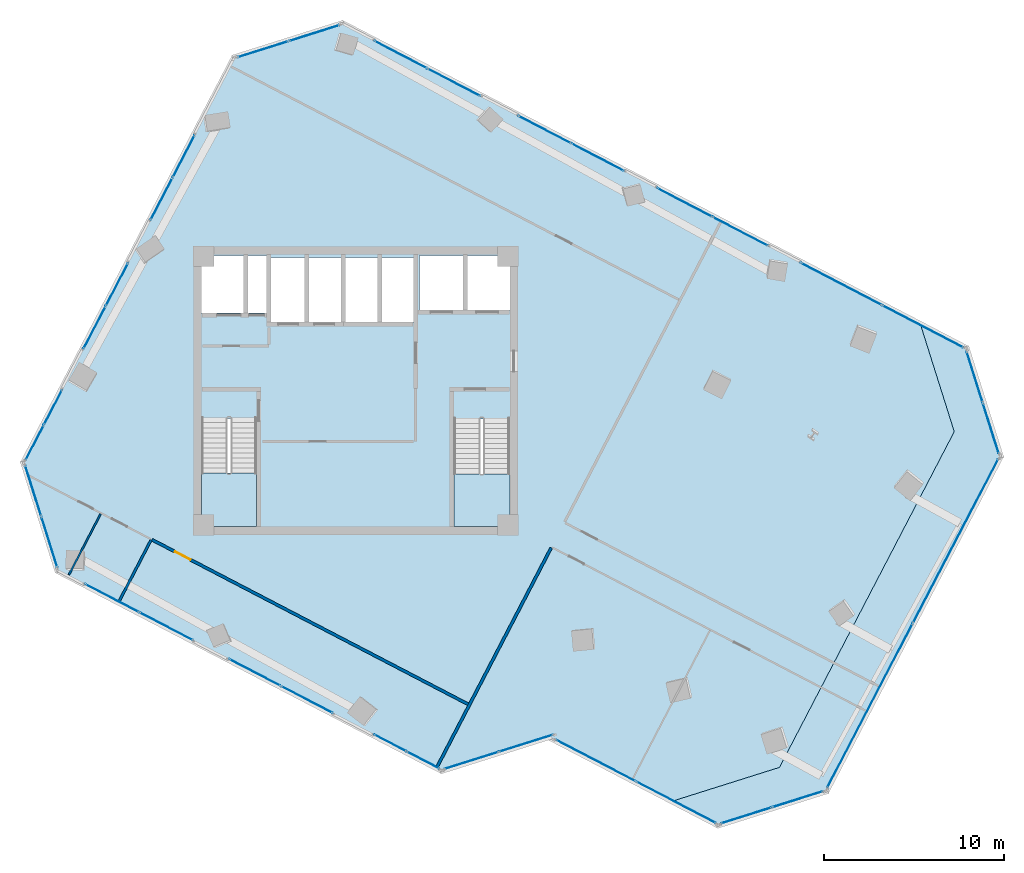
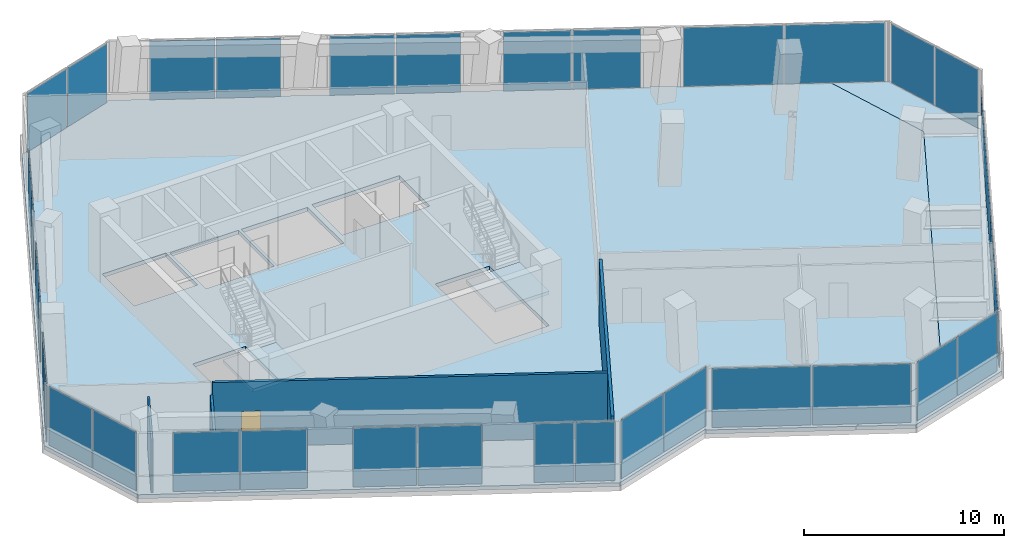
# One storey, part 16 of 22: 34 plates, 4 slabs, 4 walls, 1 door, 1 opening, 19 elements without a shape of their own.
"""IFC4 building model written with IfcOpenShell, lengths in metres."""

import ifcopenshell
import ifcopenshell.guid

model = None  # the IFC model being written
_history = None  # IfcOwnerHistory: only IFC2X3 demands one
_inside = {}  # id of a spatial element -> (the spatial element, [elements in it])
_under = {}  # id of a project, library or spatial element -> (it, [spatial elements below it])
_declared = {}  # id of a project -> (the project, [libraries it declares])
_typed = {}  # id of a type object -> (the type object, [elements of that type])
_made_of = {}  # id of a material, layer set ... -> (it, [elements and type objects made of it])


def new_model(schema):
    """Start an empty IFC model of exactly this schema.

    Asked for "IFC4X3", IfcOpenShell would pick the latest addendum, in which some entities
    have other attributes; the version numbers below select the first issue.
    IFC2X3 requires an IfcOwnerHistory on every rooted entity: one is made here for all.
    """
    global model, _history
    if schema == "IFC4X3":
        model = ifcopenshell.file(schema_version=(4, 3, 0, 0))
    else:
        model = ifcopenshell.file(schema=schema)
    _inside.clear()
    _under.clear()
    _declared.clear()
    _typed.clear()
    _made_of.clear()
    _history = None
    if model.schema == "IFC2X3":
        org = make("IfcOrganization", Name="unknown")
        user = make(
            "IfcPersonAndOrganization",
            ThePerson=make("IfcPerson", FamilyName="unknown"),
            TheOrganization=org,
        )
        app = make(
            "IfcApplication",
            ApplicationDeveloper=org,
            Version="unknown",
            ApplicationFullName="unknown",
            ApplicationIdentifier="unknown",
        )
        _history = make(
            "IfcOwnerHistory",
            OwningUser=user,
            OwningApplication=app,
            ChangeAction="ADDED",
            CreationDate=0,
        )
    return model


def make(cls, **values):
    """One entity of the class cls with the attributes given. An attribute that is None is left unset."""
    return model.create_entity(
        cls, **{name: value for name, value in values.items() if value is not None}
    )


def rooted(cls, **values):
    """An entity with a GlobalId (a new one), such as an element, a storey or a relation."""
    return make(cls, GlobalId=ifcopenshell.guid.new(), OwnerHistory=_history, **values)


def si_unit(unit_type, name, prefix=None):
    """IfcSIUnit, for example si_unit("LENGTHUNIT", "METRE", prefix="MILLI")."""
    return make("IfcSIUnit", UnitType=unit_type, Prefix=prefix, Name=name)


def assignment(units):
    """IfcUnitAssignment: the units of a project."""
    return None if units is None else make("IfcUnitAssignment", Units=units)


def point(xyz):
    """IfcCartesianPoint."""
    return None if xyz is None else make("IfcCartesianPoint", Coordinates=xyz)


def direction(xyz):
    """IfcDirection."""
    return None if xyz is None else make("IfcDirection", DirectionRatios=xyz)


def frame(location, z_axis=None, x_axis=None):
    """IfcAxis2Placement3D, a coordinate frame: its origin and axes. An axis left out is left unset."""
    return make(
        "IfcAxis2Placement3D",
        Location=point(location),
        Axis=direction(z_axis),
        RefDirection=direction(x_axis),
    )


def frame_2d(location, x_axis=None):
    """IfcAxis2Placement2D, a coordinate frame in the plane: its origin and x axis."""
    return make(
        "IfcAxis2Placement2D", Location=point(location), RefDirection=direction(x_axis)
    )


def origin():
    """The frame at (0, 0, 0) with its axes left unset."""
    return frame((0.0, 0.0, 0.0))


def origin_2d():
    """The frame at (0, 0) in the plane with its x axis left unset."""
    return frame_2d((0.0, 0.0))


def place(relative_to, where):
    """IfcLocalPlacement: puts the frame where relative to a parent placement (None: the world)."""
    return make(
        "IfcLocalPlacement", PlacementRelTo=relative_to, RelativePlacement=where
    )


def context(
    kind, dimensions, precision=None, world=None, true_north=None, identifier=None
):
    """IfcGeometricRepresentationContext, for example the 3D "Model" context."""
    return make(
        "IfcGeometricRepresentationContext",
        ContextIdentifier=identifier,
        ContextType=kind,
        CoordinateSpaceDimension=dimensions,
        Precision=precision,
        WorldCoordinateSystem=world,
        TrueNorth=true_north,
    )


def subcontext(parent, identifier, kind, view, scale=None):
    """IfcGeometricRepresentationSubContext, for example "Body" below "Model"."""
    return make(
        "IfcGeometricRepresentationSubContext",
        ContextIdentifier=identifier,
        ContextType=kind,
        ParentContext=parent,
        TargetScale=scale,
        TargetView=view,
    )


def project(units=None, contexts=None):
    """IfcProject with its units and contexts."""
    return rooted(
        "IfcProject",
        Name="project",
        RepresentationContexts=contexts,
        UnitsInContext=assignment(units),
    )


def spatial(cls, under=None, at=None, **own):
    """A site, building, storey or space (cls), placed at a placement, below another one or the project."""
    s = rooted(cls, ObjectPlacement=at, **own)
    if under is not None:
        _under.setdefault(under.id(), (under, []))[1].append(s)
    return s


def polyline(points):
    """IfcPolyline through the points."""
    return make("IfcPolyline", Points=[point(p) for p in points])


def profile(cls, at=None, kind="AREA", **sizes):
    """A parametric profile (cls). Its sizes go by their IFC names, for example OverallWidth=200.0."""
    return make(cls, ProfileType=kind, Position=at, **sizes)


def rectangle(**sizes):
    """IfcRectangleProfileDef."""
    return profile("IfcRectangleProfileDef", **sizes)


def outline(outer, holes=None, kind="AREA"):
    """IfcArbitraryClosedProfileDef: a profile drawn as a closed curve; with holes, ...WithVoids."""
    if holes is None:
        return make("IfcArbitraryClosedProfileDef", ProfileType=kind, OuterCurve=outer)
    return make(
        "IfcArbitraryProfileDefWithVoids",
        ProfileType=kind,
        OuterCurve=outer,
        InnerCurves=holes,
    )


def extrude(swept, where, along, depth):
    """IfcExtrudedAreaSolid: the profile swept, set in the frame where, extruded along a direction by depth."""
    return make(
        "IfcExtrudedAreaSolid",
        SweptArea=swept,
        Position=where,
        ExtrudedDirection=direction(along),
        Depth=depth,
    )


def shape(context_of_items, identifier, shape_type, items):
    """IfcShapeRepresentation: the items that make up one representation, for example the "Body"."""
    return make(
        "IfcShapeRepresentation",
        ContextOfItems=context_of_items,
        RepresentationIdentifier=identifier,
        RepresentationType=shape_type,
        Items=items,
    )


def source(mapping_origin, context_of_items, identifier, shape_type, items):
    """IfcRepresentationMap: a shape defined once, which mapped items show again and again."""
    return make(
        "IfcRepresentationMap",
        MappingOrigin=mapping_origin,
        MappedRepresentation=shape(context_of_items, identifier, shape_type, items),
    )


def transform(
    local_origin,
    x_axis=None,
    y_axis=None,
    z_axis=None,
    scale=None,
    scale2=None,
    scale3=None,
    uniform=True,
):
    """IfcCartesianTransformationOperator3D, or its non-uniform kind. x_axis, y_axis, z_axis: its Axis1, 2, 3."""
    if uniform:
        return make(
            "IfcCartesianTransformationOperator3D",
            Axis1=direction(x_axis),
            Axis2=direction(y_axis),
            LocalOrigin=point(local_origin),
            Scale=scale,
            Axis3=direction(z_axis),
        )
    return make(
        "IfcCartesianTransformationOperator3DnonUniform",
        Axis1=direction(x_axis),
        Axis2=direction(y_axis),
        LocalOrigin=point(local_origin),
        Scale=scale,
        Axis3=direction(z_axis),
        Scale2=scale2,
        Scale3=scale3,
    )


def mapped(mapping_source, mapping_target):
    """IfcMappedItem: shows the shape of a source again, moved by a transform."""
    return make(
        "IfcMappedItem", MappingSource=mapping_source, MappingTarget=mapping_target
    )


def material(Name=None, Category=None):
    """IfcMaterial."""
    return make("IfcMaterial", Name=Name, Category=Category)


def layer(
    of_material, thickness, ventilated=None, Name=None, Category=None, Priority=None
):
    """IfcMaterialLayer: one layer of a wall or slab, of a material (None: an air gap)."""
    return make(
        "IfcMaterialLayer",
        Material=of_material,
        LayerThickness=thickness,
        IsVentilated=ventilated,
        Name=Name,
        Category=Category,
        Priority=Priority,
    )


def layer_set(layers, Name=None):
    """IfcMaterialLayerSet."""
    return make("IfcMaterialLayerSet", MaterialLayers=layers, LayerSetName=Name)


def made_of(thing, what):
    """Note that an element or type object is made of a material, layer set ...; save() writes the relation."""
    if what is not None:
        _made_of.setdefault(what.id(), (what, []))[1].append(thing)
    return thing


def type_object(cls, material=None, **own):
    """A type object (cls), such as IfcWallType, which elements share."""
    return made_of(rooted(cls, **own), material)


def element(
    cls,
    number,
    at=None,
    inside=None,
    cuts=None,
    type_object=None,
    material=None,
    context=None,
    identifier="Body",
    shape_type=None,
    held_by="IfcProductDefinitionShape",
    body=None,
    shapes=None,
    **own,
):
    """One element of the class cls, such as IfcWall. Its Tag is "e" and its number.

    at: its placement. inside: the storey or other place that contains it. cuts: it is an
    opening in that element (IfcRelVoidsElement). A single representation is given by context,
    identifier, shape_type and body (its items); several are given by shapes. held_by: the class
    of the entity that holds the representations. save() writes the other relations.
    """
    e = rooted(cls, Tag="e%d" % number, ObjectPlacement=at, **own)
    if body is not None:
        shapes = [shape(context, identifier, shape_type, body)]
    if shapes is not None:
        e.Representation = make(held_by, Representations=shapes)
    if inside is not None:
        _inside.setdefault(inside.id(), (inside, []))[1].append(e)
    if cuts is not None:
        rooted(
            "IfcRelVoidsElement", RelatingBuildingElement=cuts, RelatedOpeningElement=e
        )
    if type_object is not None:
        _typed.setdefault(type_object.id(), (type_object, []))[1].append(e)
    return made_of(e, material)


def fill(opening, filler):
    """IfcRelFillsElement: the door or window that sits in an opening."""
    return rooted(
        "IfcRelFillsElement",
        RelatingOpeningElement=opening,
        RelatedBuildingElement=filler,
    )


def aggregate(whole, parts):
    """IfcRelAggregates: a whole, such as a stair, and the parts it consists of."""
    return rooted("IfcRelAggregates", RelatingObject=whole, RelatedObjects=parts)


def save(model, path):
    """Write the relations noted so far, then the file.

    IfcRelAggregates (storeys below a building ...), IfcRelContainedInSpatialStructure (elements
    in a storey), IfcRelDefinesByType, IfcRelAssociatesMaterial and IfcRelDeclares: one each for
    every whole, place, type object, material and project.
    """
    for whole, parts in _under.values():
        aggregate(whole, parts)
    for where, things in _inside.values():
        rooted(
            "IfcRelContainedInSpatialStructure",
            RelatedElements=things,
            RelatingStructure=where,
        )
    for kind, things in _typed.values():
        rooted("IfcRelDefinesByType", RelatedObjects=things, RelatingType=kind)
    for what, things in _made_of.values():
        rooted("IfcRelAssociatesMaterial", RelatedObjects=things, RelatingMaterial=what)
    for by, libraries in _declared.values():
        rooted("IfcRelDeclares", RelatingContext=by, RelatedDefinitions=libraries)
    model.write(path)


model = new_model("IFC4")

# Units and contexts
model_context = context("Model", 3, precision=1e-05, world=origin(), true_north=direction((0.0, 1.0)))
body_context = subcontext(model_context, "Body", "Model", "MODEL_VIEW")
ifc_project = project(units=[si_unit("LENGTHUNIT", "METRE"), si_unit("AREAUNIT", "SQUARE_METRE"), si_unit("VOLUMEUNIT", "CUBIC_METRE"), si_unit("PLANEANGLEUNIT", "RADIAN"), si_unit("MASSUNIT", "GRAM", prefix="KILO")], contexts=[model_context])

# Site, building, storey
site_placement = place(None, origin())
site = spatial("IfcSite", under=ifc_project, at=site_placement, CompositionType="ELEMENT")
building_placement = place(site_placement, origin())
building = spatial("IfcBuilding", under=site, at=building_placement, Name="Torre Montelarca", CompositionType="ELEMENT")
storey_placement = place(building_placement, frame((0.0, 0.0, 170.800048828125)))
storey = spatial("IfcBuildingStorey", under=building, at=storey_placement, Name="L38", CompositionType="ELEMENT", Elevation=170.800048828125)

# Slabs
ifc_material_1 = material(Name="Concrete C40/50", Category="concrete")
ifc_layer_1 = layer(ifc_material_1, 0.239990234375, Name="Concrete C40/50", Category="concrete")
ifc_layer_set_1 = layer_set([ifc_layer_1], Name="Concrete C40/50")
slab_type_1 = type_object("IfcSlabType", Name="SL-FLR-240", PredefinedType="FLOOR", material=ifc_layer_set_1)
slab_1_placement = place(storey_placement, frame((0.0, 0.0, -0.239990234375)))
element("IfcSlab", 1, at=slab_1_placement, inside=storey, type_object=slab_type_1, Name="L38 Structural Floor Slab", PredefinedType="FLOOR", context=body_context, shape_type="SweptSolid", body=[
    extrude(outline(polyline([(22.7646484375, 10.8232421875), (28.833984375, 12.737060546875), (28.787841796875, 12.648193359375), (35.4404296875, 9.185302734375), (41.509765625, 11.098876953125), (51.20654296875, 29.72607421875), (49.29296875, 35.79541015625), (17.271728515625, 52.464599609375), (11.202392578125, 50.551025390625), (-0.52587890625, 28.02099609375), (1.3876953125, 21.951416015625), (22.7646484375, 10.8232421875)]), holes=[polyline([(26.550048828125, 24.449951171875), (23.43994140625, 24.449951171875), (23.43994140625, 30.429931640625), (26.550048828125, 30.429931640625), (26.550048828125, 24.449951171875)]), polyline([(9.449951171875, 24.449951171875), (9.449951171875, 30.4599609375), (12.5, 30.4599609375), (12.5, 24.449951171875), (9.449951171875, 24.449951171875)]), polyline([(17.25, 35.800048828125), (13.300048828125, 35.800048828125), (13.300048828125, 39.39990234375), (17.25, 39.39990234375), (17.25, 35.800048828125)]), polyline([(21.25, 39.39990234375), (21.25, 35.800048828125), (17.39990234375, 35.800048828125), (17.39990234375, 39.39990234375), (21.25, 39.39990234375)]), polyline([(13.1201171875, 36.300048828125), (9.449951171875, 36.300048828125), (9.449951171875, 39.5), (13.1201171875, 39.5), (13.1201171875, 36.300048828125)]), polyline([(26.60009765625, 36.449951171875), (21.550048828125, 36.449951171875), (21.550048828125, 39.5), (26.60009765625, 39.5), (26.60009765625, 36.449951171875)])]), origin(), (0.0, 0.0, 1.0), 0.239990234375),
])
slab_2_placement = place(storey_placement, frame((0.0, 0.0, -0.239990234375)))
element("IfcSlab", 2, at=slab_2_placement, inside=storey, type_object=slab_type_1, Name="L38 Sliding Tray Winter Garden Floor Slab E1", PredefinedType="FLOOR", context=body_context, shape_type="SweptSolid", body=[
    extrude(outline(polyline([(49.29296875, 35.79541015625), (51.20654296875, 29.72607421875), (41.509765625, 11.098876953125), (35.4404296875, 9.185302734375), (38.101318359375, 7.800048828125), (44.1708984375, 9.713623046875), (53.86767578125, 28.3408203125), (51.953857421875, 34.410400390625), (49.29296875, 35.79541015625)])), origin(), (0.0, 0.0, 1.0), 0.239990234375),
])

# Stair, slab
stair_type_1 = type_object("IfcStairType", Name="ST-CORE-ST1", PredefinedType="HALF_TURN_STAIR", material=ifc_material_1)
stair_1_placement = place(storey_placement, origin())
stair_1 = element("IfcStair", 3, at=stair_1_placement, inside=storey, type_object=stair_type_1, Name="L38 Protected Exit Stair ST1", PredefinedType="HALF_TURN_STAIR")
ifc_layer_2 = layer(ifc_material_1, 0.199951171875, Name="Concrete C40/50", Category="concrete")
ifc_layer_set_2 = layer_set([ifc_layer_2], Name="Concrete C40/50")
slab_type_2 = type_object("IfcSlabType", Name="SL-ST-LAND-ST1", PredefinedType="LANDING", material=ifc_layer_set_2)
slab_3_placement = place(storey_placement, frame((0.0, 0.0, 1.89990234375)))
slab_3 = element("IfcSlab", 4, at=slab_3_placement, type_object=slab_type_2, Name="ST1 landing 1", PredefinedType="LANDING", context=body_context, shape_type="SweptSolid", body=[
    extrude(outline(polyline([(9.449951171875, 27.419921875), (9.449951171875, 24.449951171875), (12.5, 24.449951171875), (12.5, 27.419921875), (9.449951171875, 27.419921875)])), origin(), (0.0, 0.0, 1.0), 0.199951171875),
])
aggregate(stair_1, [slab_3])

stair_type_2 = type_object("IfcStairType", Name="ST-CORE-ST2", PredefinedType="HALF_TURN_STAIR", material=ifc_material_1)
stair_2_placement = place(storey_placement, origin())
stair_2 = element("IfcStair", 5, at=stair_2_placement, inside=storey, type_object=stair_type_2, Name="L38 Protected Exit Stair ST2", PredefinedType="HALF_TURN_STAIR")
ifc_layer_3 = layer(ifc_material_1, 0.199951171875, Name="Concrete C40/50", Category="concrete")
ifc_layer_set_3 = layer_set([ifc_layer_3], Name="Concrete C40/50")
slab_type_3 = type_object("IfcSlabType", Name="SL-ST-LAND-ST2", PredefinedType="LANDING", material=ifc_layer_set_3)
slab_4_placement = place(storey_placement, frame((0.0, 0.0, 1.89990234375)))
slab_4 = element("IfcSlab", 6, at=slab_4_placement, type_object=slab_type_3, Name="ST2 landing 1", PredefinedType="LANDING", context=body_context, shape_type="SweptSolid", body=[
    extrude(outline(polyline([(23.43994140625, 27.389892578125), (23.43994140625, 24.449951171875), (26.550048828125, 24.449951171875), (26.550048828125, 27.389892578125), (23.43994140625, 27.389892578125)])), origin(), (0.0, 0.0, 1.0), 0.199951171875),
])
aggregate(stair_2, [slab_4])

# Curtain wall, plates
ifc_material_2 = material(Name="Insulated low-E laminated glass", Category="glass")
curtain_wall_type = type_object("IfcCurtainWallType", Name="CW-SYS-Z2", PredefinedType="USERDEFINED", material=ifc_material_2)
curtain_wall_1_placement = place(storey_placement, origin())
curtain_wall_1 = element("IfcCurtainWall", 7, at=curtain_wall_1_placement, inside=storey, type_object=curtain_wall_type, Name="L38 Curtain Wall Run CW-T3-L38-E05-B1", ObjectType="UNITISED GLAZING", PredefinedType="USERDEFINED")
ifc_layer_4 = layer(ifc_material_2, 0.031982421875, Name="Insulated low-E laminated glass", Category="glass")
ifc_layer_set_4 = layer_set([ifc_layer_4], Name="Insulated low-E laminated glass")
plate_type = type_object("IfcPlateType", Name="CWP-GLZ-32", PredefinedType="CURTAIN_PANEL", material=ifc_layer_set_4)
shared_shape_1 = source(origin(), body_context, "Body", "SweptSolid", [
    extrude(rectangle(XDim=2.918701171875, YDim=0.031982421875, at=origin_2d()), origin(), (0.0, 0.0, 1.0), 3.590087890625),
])
plate_1_placement = place(storey_placement, frame((39.67431640625, 8.43212890625, 0.06494140625), z_axis=(0.0, 0.0, 1.0), x_axis=(0.953725364895, 0.300679111938, 0.0)))
plate_1 = element("IfcPlate", 8, at=plate_1_placement, type_object=plate_type, Name="CW panel 1.1", PredefinedType="CURTAIN_PANEL", context=body_context, shape_type="MappedRepresentation", body=[
    mapped(shared_shape_1, transform((0.0, 0.0, 0.0), scale=1.0)),
])
plate_2_placement = place(storey_placement, frame((42.52001953125, 9.329345703125, 0.06494140625), z_axis=(0.0, 0.0, 1.0), x_axis=(0.953725364895, 0.300679111938, 0.0)))
plate_2 = element("IfcPlate", 9, at=plate_2_placement, type_object=plate_type, Name="CW panel 2.1", PredefinedType="CURTAIN_PANEL", context=body_context, shape_type="MappedRepresentation", body=[
    mapped(shared_shape_1, transform((0.0, 0.0, 0.0), scale=1.0)),
])
aggregate(curtain_wall_1, [plate_1, plate_2])

curtain_wall_2_placement = place(storey_placement, origin())
curtain_wall_2 = element("IfcCurtainWall", 10, at=curtain_wall_2_placement, inside=storey, type_object=curtain_wall_type, Name="L38 Curtain Wall Run CW-T3-L38-E07-B1", ObjectType="UNITISED GLAZING", PredefinedType="USERDEFINED")
plate_3_placement = place(storey_placement, frame((53.2353515625, 29.913818359375, 0.06494140625), z_axis=(0.0, 0.0, 1.0), x_axis=(-0.30069894448, 0.953719112102, 0.0)))
plate_3 = element("IfcPlate", 11, at=plate_3_placement, type_object=plate_type, Name="CW panel 1.1", PredefinedType="CURTAIN_PANEL", context=body_context, shape_type="MappedRepresentation", body=[
    mapped(shared_shape_1, transform((0.0, 0.0, 0.0), scale=1.0)),
])
plate_4_placement = place(storey_placement, frame((52.338134765625, 32.75927734375, 0.06494140625), z_axis=(0.0, 0.0, 1.0), x_axis=(-0.30069894448, 0.953719112102, 0.0)))
plate_4 = element("IfcPlate", 12, at=plate_4_placement, type_object=plate_type, Name="CW panel 2.1", PredefinedType="CURTAIN_PANEL", context=body_context, shape_type="MappedRepresentation", body=[
    mapped(shared_shape_1, transform((0.0, 0.0, 0.0), scale=1.0)),
])
aggregate(curtain_wall_2, [plate_3, plate_4])

curtain_wall_3_placement = place(storey_placement, origin())
curtain_wall_3 = element("IfcCurtainWall", 13, at=curtain_wall_3_placement, inside=storey, type_object=curtain_wall_type, Name="L38 Curtain Wall Run CW-T3-L38-E09-B1", ObjectType="UNITISED GLAZING", PredefinedType="USERDEFINED")
plate_5_placement = place(storey_placement, frame((15.698974609375, 51.83251953125, 0.06494140625), z_axis=(0.0, 0.0, 1.0), x_axis=(-0.953719112102, -0.30069894448, 0.0)))
plate_5 = element("IfcPlate", 14, at=plate_5_placement, type_object=plate_type, Name="CW panel 1.1", PredefinedType="CURTAIN_PANEL", context=body_context, shape_type="MappedRepresentation", body=[
    mapped(shared_shape_1, transform((0.0, 0.0, 0.0), scale=1.0)),
])
plate_6_placement = place(storey_placement, frame((12.853271484375, 50.935302734375, 0.06494140625), z_axis=(0.0, 0.0, 1.0), x_axis=(-0.953719112102, -0.30069894448, 0.0)))
plate_6 = element("IfcPlate", 15, at=plate_6_placement, type_object=plate_type, Name="CW panel 2.1", PredefinedType="CURTAIN_PANEL", context=body_context, shape_type="MappedRepresentation", body=[
    mapped(shared_shape_1, transform((0.0, 0.0, 0.0), scale=1.0)),
])
aggregate(curtain_wall_3, [plate_5, plate_6])

curtain_wall_4_placement = place(storey_placement, origin())
curtain_wall_4 = element("IfcCurtainWall", 16, at=curtain_wall_4_placement, inside=storey, type_object=curtain_wall_type, Name="L38 Curtain Wall Run CW-T3-L38-E11-B1", ObjectType="UNITISED GLAZING", PredefinedType="USERDEFINED")
plate_7_placement = place(storey_placement, frame((0.106201171875, 26.447998046875, 0.06494140625), z_axis=(0.0, 0.0, 1.0), x_axis=(0.300683865815, -0.953723866137, 0.0)))
plate_7 = element("IfcPlate", 17, at=plate_7_placement, type_object=plate_type, Name="CW panel 1.1", PredefinedType="CURTAIN_PANEL", context=body_context, shape_type="MappedRepresentation", body=[
    mapped(shared_shape_1, transform((0.0, 0.0, 0.0), scale=1.0)),
])
plate_8_placement = place(storey_placement, frame((1.00341796875, 23.6025390625, 0.06494140625), z_axis=(0.0, 0.0, 1.0), x_axis=(0.300683865815, -0.953723866137, 0.0)))
plate_8 = element("IfcPlate", 18, at=plate_8_placement, type_object=plate_type, Name="CW panel 2.1", PredefinedType="CURTAIN_PANEL", context=body_context, shape_type="MappedRepresentation", body=[
    mapped(shared_shape_1, transform((0.0, 0.0, 0.0), scale=1.0)),
])
aggregate(curtain_wall_4, [plate_7, plate_8])

curtain_wall_5_placement = place(storey_placement, origin())
curtain_wall_5 = element("IfcCurtainWall", 19, at=curtain_wall_5_placement, inside=storey, type_object=curtain_wall_type, Name="L38 Curtain Wall Run CW-T3-L38-E02-B1", ObjectType="UNITISED GLAZING", PredefinedType="USERDEFINED")
shared_shape_2 = source(origin(), body_context, "Body", "SweptSolid", [
    extrude(rectangle(XDim=3.1025390625, YDim=0.031982421875, at=origin_2d()), origin(), (0.0, 0.0, 1.0), 3.590087890625),
])
plate_9_placement = place(storey_placement, frame((24.425048828125, 11.483154296875, 0.06494140625), z_axis=(0.0, 0.0, 1.0), x_axis=(0.953717880455, 0.300702850836, 0.0)))
plate_9 = element("IfcPlate", 20, at=plate_9_placement, type_object=plate_type, Name="CW panel 1.1", PredefinedType="CURTAIN_PANEL", context=body_context, shape_type="MappedRepresentation", body=[
    mapped(shared_shape_2, transform((0.0, 0.0, 0.0), scale=1.0)),
])
plate_10_placement = place(storey_placement, frame((27.446044921875, 12.435791015625, 0.06494140625), z_axis=(0.0, 0.0, 1.0), x_axis=(0.953717880455, 0.300702850836, 0.0)))
plate_10 = element("IfcPlate", 21, at=plate_10_placement, type_object=plate_type, Name="CW panel 2.1", PredefinedType="CURTAIN_PANEL", context=body_context, shape_type="MappedRepresentation", body=[
    mapped(shared_shape_2, transform((0.0, 0.0, 0.0), scale=1.0)),
])
aggregate(curtain_wall_5, [plate_9, plate_10])

curtain_wall_6_placement = place(storey_placement, origin())
curtain_wall_6 = element("IfcCurtainWall", 22, at=curtain_wall_6_placement, inside=storey, type_object=curtain_wall_type, Name="L38 Curtain Wall Run CW-T3-L38-E04-B1", ObjectType="UNITISED GLAZING", PredefinedType="USERDEFINED")
shared_shape_3 = source(origin(), body_context, "Body", "SweptSolid", [
    extrude(rectangle(XDim=4.948486328125, YDim=0.031982421875, at=origin_2d()), origin(), (0.0, 0.0, 1.0), 3.590087890625),
])
plate_11_placement = place(storey_placement, frame((31.31494140625, 11.4794921875, 0.06494140625), z_axis=(0.0, 0.0, 1.0), x_axis=(0.887013437803, -0.461743609762, 0.0)))
plate_11 = element("IfcPlate", 23, at=plate_11_placement, type_object=plate_type, Name="CW panel 1.1", PredefinedType="CURTAIN_PANEL", context=body_context, shape_type="MappedRepresentation", body=[
    mapped(shared_shape_3, transform((0.0, 0.0, 0.0), scale=1.0)),
])
plate_12_placement = place(storey_placement, frame((35.761962890625, 9.164306640625, 0.06494140625), z_axis=(0.0, 0.0, 1.0), x_axis=(0.887013437803, -0.461743609762, 0.0)))
plate_12 = element("IfcPlate", 24, at=plate_12_placement, type_object=plate_type, Name="CW panel 2.1", PredefinedType="CURTAIN_PANEL", context=body_context, shape_type="MappedRepresentation", body=[
    mapped(shared_shape_3, transform((0.0, 0.0, 0.0), scale=1.0)),
])
aggregate(curtain_wall_6, [plate_11, plate_12])

curtain_wall_7_placement = place(storey_placement, origin())
curtain_wall_7 = element("IfcCurtainWall", 25, at=curtain_wall_7_placement, inside=storey, type_object=curtain_wall_type, Name="L38 Curtain Wall Run CW-T3-L38-E10-B1", ObjectType="UNITISED GLAZING", PredefinedType="USERDEFINED")
shared_shape_4 = source(origin(), body_context, "Body", "SweptSolid", [
    extrude(rectangle(XDim=2.588623046875, YDim=0.031982421875, at=origin_2d()), origin(), (0.0, 0.0, 1.0), 3.590087890625),
])
plate_13_placement = place(storey_placement, frame((8.459716796875, 45.0009765625, 0.06494140625), z_axis=(0.0, 0.0, 1.0), x_axis=(-0.461747116119, -0.887011612526, 0.0)))
plate_13 = element("IfcPlate", 26, at=plate_13_placement, type_object=plate_type, Name="CW panel 1.1", PredefinedType="CURTAIN_PANEL", context=body_context, shape_type="MappedRepresentation", body=[
    mapped(shared_shape_4, transform((0.0, 0.0, 0.0), scale=1.0)),
])
plate_14_placement = place(storey_placement, frame((7.234375, 42.64697265625, 0.06494140625), z_axis=(0.0, 0.0, 1.0), x_axis=(-0.461747116119, -0.887011612526, 0.0)))
plate_14 = element("IfcPlate", 27, at=plate_14_placement, type_object=plate_type, Name="CW panel 2.1", PredefinedType="CURTAIN_PANEL", context=body_context, shape_type="MappedRepresentation", body=[
    mapped(shared_shape_4, transform((0.0, 0.0, 0.0), scale=1.0)),
])
aggregate(curtain_wall_7, [plate_13, plate_14])

curtain_wall_8_placement = place(storey_placement, origin())
curtain_wall_8 = element("IfcCurtainWall", 28, at=curtain_wall_8_placement, inside=storey, type_object=curtain_wall_type, Name="L38 Curtain Wall Run CW-T3-L38-E01-B3", ObjectType="UNITISED GLAZING", PredefinedType="USERDEFINED")
shared_shape_5 = source(origin(), body_context, "Body", "SweptSolid", [
    extrude(rectangle(XDim=1.9921875, YDim=0.031982421875, at=origin_2d()), origin(), (0.0, 0.0, 1.0), 3.590087890625),
])
plate_15_placement = place(storey_placement, frame((19.911865234375, 12.455078125, 0.06494140625), z_axis=(0.0, 0.0, 1.0), x_axis=(0.887014954831, -0.461740695528, 0.0)))
plate_15 = element("IfcPlate", 29, at=plate_15_placement, type_object=plate_type, Name="CW panel 1.1", PredefinedType="CURTAIN_PANEL", context=body_context, shape_type="MappedRepresentation", body=[
    mapped(shared_shape_5, transform((0.0, 0.0, 0.0), scale=1.0)),
])
plate_16_placement = place(storey_placement, frame((21.736328125, 11.505126953125, 0.06494140625), z_axis=(0.0, 0.0, 1.0), x_axis=(0.887014954831, -0.461740695528, 0.0)))
plate_16 = element("IfcPlate", 30, at=plate_16_placement, type_object=plate_type, Name="CW panel 2.1", PredefinedType="CURTAIN_PANEL", context=body_context, shape_type="MappedRepresentation", body=[
    mapped(shared_shape_5, transform((0.0, 0.0, 0.0), scale=1.0)),
])
aggregate(curtain_wall_8, [plate_15, plate_16])

curtain_wall_9_placement = place(storey_placement, origin())
curtain_wall_9 = element("IfcCurtainWall", 31, at=curtain_wall_9_placement, inside=storey, type_object=curtain_wall_type, Name="L38 Curtain Wall Run CW-T3-L38-E08-B1", ObjectType="UNITISED GLAZING", PredefinedType="USERDEFINED")
shared_shape_6 = source(origin(), body_context, "Body", "SweptSolid", [
    extrude(rectangle(XDim=5.029541015625, YDim=0.031982421875, at=origin_2d()), origin(), (0.0, 0.0, 1.0), 3.590087890625),
])
plate_17_placement = place(storey_placement, frame((49.45849609375, 35.562744140625, 0.06494140625), z_axis=(0.0, 0.0, 1.0), x_axis=(-0.887013615745, 0.461743267935, 0.0)))
plate_17 = element("IfcPlate", 32, at=plate_17_placement, type_object=plate_type, Name="CW panel 1.1", PredefinedType="CURTAIN_PANEL", context=body_context, shape_type="MappedRepresentation", body=[
    mapped(shared_shape_6, transform((0.0, 0.0, 0.0), scale=1.0)),
])
plate_18_placement = place(storey_placement, frame((44.939453125, 37.915283203125, 0.06494140625), z_axis=(0.0, 0.0, 1.0), x_axis=(-0.887013615745, 0.461743267935, 0.0)))
plate_18 = element("IfcPlate", 33, at=plate_18_placement, type_object=plate_type, Name="CW panel 2.1", PredefinedType="CURTAIN_PANEL", context=body_context, shape_type="MappedRepresentation", body=[
    mapped(shared_shape_6, transform((0.0, 0.0, 0.0), scale=1.0)),
])
aggregate(curtain_wall_9, [plate_17, plate_18])

curtain_wall_10_placement = place(storey_placement, origin())
curtain_wall_10 = element("IfcCurtainWall", 34, at=curtain_wall_10_placement, inside=storey, type_object=curtain_wall_type, Name="L38 Curtain Wall Run CW-T3-L38-E08-B2", ObjectType="UNITISED GLAZING", PredefinedType="USERDEFINED")
shared_shape_7 = source(origin(), body_context, "Body", "SweptSolid", [
    extrude(rectangle(XDim=3.42236328125, YDim=0.031982421875, at=origin_2d()), origin(), (0.0, 0.0, 1.0), 3.590087890625),
])
plate_19_placement = place(storey_placement, frame((39.337158203125, 40.83154296875, 0.06494140625), z_axis=(0.0, 0.0, 1.0), x_axis=(-0.887012514021, 0.461745384352, 0.0)))
plate_19 = element("IfcPlate", 35, at=plate_19_placement, type_object=plate_type, Name="CW panel 1.1", PredefinedType="CURTAIN_PANEL", context=body_context, shape_type="MappedRepresentation", body=[
    mapped(shared_shape_7, transform((0.0, 0.0, 0.0), scale=1.0)),
])
plate_20_placement = place(storey_placement, frame((36.24365234375, 42.44189453125, 0.06494140625), z_axis=(0.0, 0.0, 1.0), x_axis=(-0.887012514021, 0.461745384352, 0.0)))
plate_20 = element("IfcPlate", 36, at=plate_20_placement, type_object=plate_type, Name="CW panel 2.1", PredefinedType="CURTAIN_PANEL", context=body_context, shape_type="MappedRepresentation", body=[
    mapped(shared_shape_7, transform((0.0, 0.0, 0.0), scale=1.0)),
])
aggregate(curtain_wall_10, [plate_19, plate_20])

curtain_wall_11_placement = place(storey_placement, origin())
curtain_wall_11 = element("IfcCurtainWall", 37, at=curtain_wall_11_placement, inside=storey, type_object=curtain_wall_type, Name="L38 Curtain Wall Run CW-T3-L38-E10-B3", ObjectType="UNITISED GLAZING", PredefinedType="USERDEFINED")
shared_shape_8 = source(origin(), body_context, "Body", "SweptSolid", [
    extrude(rectangle(XDim=2.14208984375, YDim=0.031982421875, at=origin_2d()), origin(), (0.0, 0.0, 1.0), 3.590087890625),
])
plate_21_placement = place(storey_placement, frame((1.20947265625, 31.0732421875, 0.06494140625), z_axis=(0.0, 0.0, 1.0), x_axis=(-0.46173720467, -0.887016772008, 0.0)))
plate_21 = element("IfcPlate", 38, at=plate_21_placement, type_object=plate_type, Name="CW panel 1.1", PredefinedType="CURTAIN_PANEL", context=body_context, shape_type="MappedRepresentation", body=[
    mapped(shared_shape_8, transform((0.0, 0.0, 0.0), scale=1.0)),
])
plate_22_placement = place(storey_placement, frame((0.1904296875, 29.115478515625, 0.06494140625), z_axis=(0.0, 0.0, 1.0), x_axis=(-0.46173720467, -0.887016772008, 0.0)))
plate_22 = element("IfcPlate", 39, at=plate_22_placement, type_object=plate_type, Name="CW panel 2.1", PredefinedType="CURTAIN_PANEL", context=body_context, shape_type="MappedRepresentation", body=[
    mapped(shared_shape_8, transform((0.0, 0.0, 0.0), scale=1.0)),
])
aggregate(curtain_wall_11, [plate_21, plate_22])

curtain_wall_12_placement = place(storey_placement, origin())
curtain_wall_12 = element("IfcCurtainWall", 40, at=curtain_wall_12_placement, inside=storey, type_object=curtain_wall_type, Name="L38 Curtain Wall Run CW-T3-L38-E01-B1", ObjectType="UNITISED GLAZING", PredefinedType="USERDEFINED")
shared_shape_9 = source(origin(), body_context, "Body", "SweptSolid", [
    extrude(rectangle(XDim=3.328857421875, YDim=0.031982421875, at=origin_2d()), origin(), (0.0, 0.0, 1.0), 3.590087890625),
])
plate_23_placement = place(storey_placement, frame((4.471923828125, 20.492431640625, 0.06494140625), z_axis=(0.0, 0.0, 1.0), x_axis=(0.887014826654, -0.461740941758, 0.0)))
plate_23 = element("IfcPlate", 41, at=plate_23_placement, type_object=plate_type, Name="CW panel 1.1", PredefinedType="CURTAIN_PANEL", context=body_context, shape_type="MappedRepresentation", body=[
    mapped(shared_shape_9, transform((0.0, 0.0, 0.0), scale=1.0)),
])
plate_24_placement = place(storey_placement, frame((7.482177734375, 18.92529296875, 0.06494140625), z_axis=(0.0, 0.0, 1.0), x_axis=(0.887014826654, -0.461740941758, 0.0)))
plate_24 = element("IfcPlate", 42, at=plate_24_placement, type_object=plate_type, Name="CW panel 2.1", PredefinedType="CURTAIN_PANEL", context=body_context, shape_type="MappedRepresentation", body=[
    mapped(shared_shape_9, transform((0.0, 0.0, 0.0), scale=1.0)),
])
aggregate(curtain_wall_12, [plate_23, plate_24])

curtain_wall_13_placement = place(storey_placement, origin())
curtain_wall_13 = element("IfcCurtainWall", 43, at=curtain_wall_13_placement, inside=storey, type_object=curtain_wall_type, Name="L38 Curtain Wall Run CW-T3-L38-E01-B2", ObjectType="UNITISED GLAZING", PredefinedType="USERDEFINED")
shared_shape_10 = source(origin(), body_context, "Body", "SweptSolid", [
    extrude(rectangle(XDim=3.19677734375, YDim=0.031982421875, at=origin_2d()), origin(), (0.0, 0.0, 1.0), 3.590087890625),
])
plate_25_placement = place(storey_placement, frame((12.396484375, 16.3671875, 0.06494140625), z_axis=(0.0, 0.0, 1.0), x_axis=(0.887010450446, -0.461749348455, 0.0)))
plate_25 = element("IfcPlate", 44, at=plate_25_placement, type_object=plate_type, Name="CW panel 1.1", PredefinedType="CURTAIN_PANEL", context=body_context, shape_type="MappedRepresentation", body=[
    mapped(shared_shape_10, transform((0.0, 0.0, 0.0), scale=1.0)),
])
plate_26_placement = place(storey_placement, frame((15.28955078125, 14.861083984375, 0.06494140625), z_axis=(0.0, 0.0, 1.0), x_axis=(0.887010450446, -0.461749348455, 0.0)))
plate_26 = element("IfcPlate", 45, at=plate_26_placement, type_object=plate_type, Name="CW panel 2.1", PredefinedType="CURTAIN_PANEL", context=body_context, shape_type="MappedRepresentation", body=[
    mapped(shared_shape_10, transform((0.0, 0.0, 0.0), scale=1.0)),
])
aggregate(curtain_wall_13, [plate_25, plate_26])

curtain_wall_14_placement = place(storey_placement, origin())
curtain_wall_14 = element("IfcCurtainWall", 46, at=curtain_wall_14_placement, inside=storey, type_object=curtain_wall_type, Name="L38 Curtain Wall Run CW-T3-L38-E06-B1", ObjectType="UNITISED GLAZING", PredefinedType="USERDEFINED")
shared_shape_11 = source(origin(), body_context, "Body", "SweptSolid", [
    extrude(rectangle(XDim=10.23681640625, YDim=0.031982421875, at=origin_2d()), origin(), (0.0, 0.0, 1.0), 2.64501953125),
])
plate_27_placement = place(storey_placement, frame((46.525634765625, 14.518310546875, 0.06494140625), z_axis=(0.0, 0.0, 1.0), x_axis=(0.461742528145, 0.887014000849, 0.0)))
plate_27 = element("IfcPlate", 47, at=plate_27_placement, type_object=plate_type, Name="CW panel 1.1", PredefinedType="CURTAIN_PANEL", context=body_context, shape_type="MappedRepresentation", body=[
    mapped(shared_shape_11, transform((0.0, 0.0, 0.0), scale=1.0)),
])
plate_28_placement = place(storey_placement, frame((51.2822265625, 23.65625, 0.06494140625), z_axis=(0.0, 0.0, 1.0), x_axis=(0.461742528145, 0.887014000849, 0.0)))
plate_28 = element("IfcPlate", 48, at=plate_28_placement, type_object=plate_type, Name="CW panel 2.1", PredefinedType="CURTAIN_PANEL", context=body_context, shape_type="MappedRepresentation", body=[
    mapped(shared_shape_11, transform((0.0, 0.0, 0.0), scale=1.0)),
])
aggregate(curtain_wall_14, [plate_27, plate_28])

curtain_wall_15_placement = place(storey_placement, origin())
curtain_wall_15 = element("IfcCurtainWall", 49, at=curtain_wall_15_placement, inside=storey, type_object=curtain_wall_type, Name="L38 Curtain Wall Run CW-T3-L38-E08-B3", ObjectType="UNITISED GLAZING", PredefinedType="USERDEFINED")
shared_shape_12 = source(origin(), body_context, "Body", "SweptSolid", [
    extrude(rectangle(XDim=3.2568359375, YDim=0.031982421875, at=origin_2d()), origin(), (0.0, 0.0, 1.0), 3.590087890625),
])
plate_29_placement = place(storey_placement, frame((31.427490234375, 44.94921875, 0.06494140625), z_axis=(0.0, 0.0, 1.0), x_axis=(-0.887013174356, 0.461744115846, 0.0)))
plate_29 = element("IfcPlate", 50, at=plate_29_placement, type_object=plate_type, Name="CW panel 1.1", PredefinedType="CURTAIN_PANEL", context=body_context, shape_type="MappedRepresentation", body=[
    mapped(shared_shape_12, transform((0.0, 0.0, 0.0), scale=1.0)),
])
plate_30_placement = place(storey_placement, frame((28.48095703125, 46.48291015625, 0.06494140625), z_axis=(0.0, 0.0, 1.0), x_axis=(-0.887013174356, 0.461744115846, 0.0)))
plate_30 = element("IfcPlate", 51, at=plate_30_placement, type_object=plate_type, Name="CW panel 2.1", PredefinedType="CURTAIN_PANEL", context=body_context, shape_type="MappedRepresentation", body=[
    mapped(shared_shape_12, transform((0.0, 0.0, 0.0), scale=1.0)),
])
aggregate(curtain_wall_15, [plate_29, plate_30])

curtain_wall_16_placement = place(storey_placement, origin())
curtain_wall_16 = element("IfcCurtainWall", 52, at=curtain_wall_16_placement, inside=storey, type_object=curtain_wall_type, Name="L38 Curtain Wall Run CW-T3-L38-E08-B4", ObjectType="UNITISED GLAZING", PredefinedType="USERDEFINED")
shared_shape_13 = source(origin(), body_context, "Body", "SweptSolid", [
    extrude(rectangle(XDim=3.255859375, YDim=0.031982421875, at=origin_2d()), origin(), (0.0, 0.0, 1.0), 3.590087890625),
])
plate_31_placement = place(storey_placement, frame((23.445068359375, 49.1044921875, 0.06494140625), z_axis=(0.0, 0.0, 1.0), x_axis=(-0.88701091422, 0.461748457555, 0.0)))
plate_31 = element("IfcPlate", 53, at=plate_31_placement, type_object=plate_type, Name="CW panel 1.1", PredefinedType="CURTAIN_PANEL", context=body_context, shape_type="MappedRepresentation", body=[
    mapped(shared_shape_13, transform((0.0, 0.0, 0.0), scale=1.0)),
])
plate_32_placement = place(storey_placement, frame((20.499267578125, 50.637939453125, 0.06494140625), z_axis=(0.0, 0.0, 1.0), x_axis=(-0.88701091422, 0.461748457555, 0.0)))
plate_32 = element("IfcPlate", 54, at=plate_32_placement, type_object=plate_type, Name="CW panel 2.1", PredefinedType="CURTAIN_PANEL", context=body_context, shape_type="MappedRepresentation", body=[
    mapped(shared_shape_13, transform((0.0, 0.0, 0.0), scale=1.0)),
])
aggregate(curtain_wall_16, [plate_31, plate_32])

curtain_wall_17_placement = place(storey_placement, origin())
curtain_wall_17 = element("IfcCurtainWall", 55, at=curtain_wall_17_placement, inside=storey, type_object=curtain_wall_type, Name="L38 Curtain Wall Run CW-T3-L38-E10-B2", ObjectType="UNITISED GLAZING", PredefinedType="USERDEFINED")
shared_shape_14 = source(origin(), body_context, "Body", "SweptSolid", [
    extrude(rectangle(XDim=2.625244140625, YDim=0.031982421875, at=origin_2d()), origin(), (0.0, 0.0, 1.0), 3.590087890625),
])
plate_33_placement = place(storey_placement, frame((4.75732421875, 37.888671875, 0.06494140625), z_axis=(0.0, 0.0, 1.0), x_axis=(-0.461749332138, -0.887010458941, 0.0)))
plate_33 = element("IfcPlate", 56, at=plate_33_placement, type_object=plate_type, Name="CW panel 1.1", PredefinedType="CURTAIN_PANEL", context=body_context, shape_type="MappedRepresentation", body=[
    mapped(shared_shape_14, transform((0.0, 0.0, 0.0), scale=1.0)),
])
plate_34_placement = place(storey_placement, frame((3.51513671875, 35.502197265625, 0.06494140625), z_axis=(0.0, 0.0, 1.0), x_axis=(-0.461749332138, -0.887010458941, 0.0)))
plate_34 = element("IfcPlate", 57, at=plate_34_placement, type_object=plate_type, Name="CW panel 2.1", PredefinedType="CURTAIN_PANEL", context=body_context, shape_type="MappedRepresentation", body=[
    mapped(shared_shape_14, transform((0.0, 0.0, 0.0), scale=1.0)),
])
aggregate(curtain_wall_17, [plate_33, plate_34])

# Wall, opening, door
ifc_material_3 = material(Name="Gypsum plasterboard on steel stud", Category="steel")
ifc_layer_5 = layer(ifc_material_3, 0.159912109375, Name="Gypsum plasterboard on steel stud", Category="steel")
ifc_layer_set_5 = layer_set([ifc_layer_5], Name="Gypsum plasterboard on steel stud")
wall_type_1 = type_object("IfcWallType", Name="PW-FIRE-160", PredefinedType="PARTITIONING", material=ifc_layer_set_5)
wall_1_placement = place(storey_placement, frame((6.698974609375, 23.72998046875, 0.0), z_axis=(0.0, 0.0, 1.0), x_axis=(0.887009683963, -0.46175082085, 0.0)))
wall_1 = element("IfcWall", 58, at=wall_1_placement, inside=storey, type_object=wall_type_1, Name="L38 Interior Partition W-L38-SOCCN", PredefinedType="PARTITIONING", context=body_context, shape_type="SweptSolid", body=[
    extrude(rectangle(XDim=19.809814453125, YDim=0.159912109375, at=frame_2d((9.90478515625, 0.0))), origin(), (0.0, 0.0, 1.0), 3.9599609375),
])
opening_placement = place(wall_1_placement, frame((1.449951171875, 0.0, 0.0)))
opening = element("IfcOpeningElement", 59, at=opening_placement, cuts=wall_1, Name="Opening FD-095", PredefinedType="OPENING", context=body_context, shape_type="SweptSolid", body=[
    extrude(rectangle(XDim=0.949951171875, YDim=2.14990234375, at=frame_2d((0.47509765625, 1.074951171875))), frame((0.0, 0.08984375, 0.0), z_axis=(0.0, -1.0, 0.0), x_axis=(1.0, 0.0, 0.0)), (0.0, 0.0, 1.0), 0.179931640625),
])
ifc_material_4 = material(Name="Timber fire-rated room door", Category="wood")
door_type = type_object("IfcDoorType", Name="DR-FIRE-095", OperationType="NOTDEFINED", PredefinedType="DOOR", material=ifc_material_4)
shared_shape_15 = source(origin(), body_context, "Body", "SweptSolid", [
    extrude(rectangle(XDim=0.949951171875, YDim=2.14990234375, at=frame_2d((0.47509765625, 1.074951171875))), frame((0.0, 0.02490234375, 0.0), z_axis=(0.0, -1.0, 0.0), x_axis=(1.0, 0.0, 0.0)), (0.0, 0.0, 1.0), 0.050048828125),
])
door_placement = place(opening_placement, origin())
door = element("IfcDoor", 60, at=door_placement, inside=storey, type_object=door_type, Name="L38 Interior Door 05", OperationType="SINGLE_SWING_RIGHT", OverallHeight=2.14990234375, OverallWidth=0.949951171875, PredefinedType="DOOR", context=body_context, shape_type="MappedRepresentation", body=[
    mapped(shared_shape_15, transform((0.0, 0.0, 0.0), scale=1.0)),
])
fill(opening, door)

# Walls
wall_2_placement = place(storey_placement, frame((22.5283203125, 11.1494140625, 0.0), z_axis=(0.0, 0.0, 1.0), x_axis=(0.461766825398, 0.887001352289, 0.0)))
element("IfcWall", 61, at=wall_2_placement, inside=storey, type_object=wall_type_1, Name="L38 Interior Partition W-L38-ECS", PredefinedType="PARTITIONING", context=body_context, shape_type="SweptSolid", body=[
    extrude(rectangle(XDim=13.679931640625, YDim=0.159912109375, at=frame_2d((6.83984375, 0.0))), origin(), (0.0, 0.0, 1.0), 3.9599609375),
])
ifc_material_5 = material(Name="Acoustic laminated glass partition", Category="glass")
ifc_layer_6 = layer(ifc_material_5, 0.10009765625, Name="Acoustic laminated glass partition", Category="glass")
ifc_layer_set_6 = layer_set([ifc_layer_6], Name="Acoustic laminated glass partition")
wall_type_2 = type_object("IfcWallType", Name="PW-GLAZ-100", PredefinedType="PARTITIONING", material=ifc_layer_set_6)
wall_3_placement = place(storey_placement, frame((2.091796875, 21.787841796875, 0.0), z_axis=(0.0, 0.0, 1.0), x_axis=(0.461687624356, 0.887042579314, 0.0)))
element("IfcWall", 62, at=wall_3_placement, inside=storey, type_object=wall_type_2, Name="L38 Interior Partition W-L38-WCD", PredefinedType="PARTITIONING", context=body_context, shape_type="SweptSolid", body=[
    extrude(rectangle(XDim=3.81005859375, YDim=0.10009765625, at=frame_2d((1.905029296875, 0.0))), origin(), (0.0, 0.0, 1.0), 3.195068359375),
])
ifc_layer_7 = layer(ifc_material_3, 0.135009765625, Name="Gypsum plasterboard on steel stud", Category="steel")
ifc_layer_set_7 = layer_set([ifc_layer_7], Name="Gypsum plasterboard on steel stud")
wall_type_3 = type_object("IfcWallType", Name="PW-PART-135", PredefinedType="PARTITIONING", material=ifc_layer_set_7)
wall_4_placement = place(storey_placement, frame((4.8857421875, 20.33349609375, 0.0), z_axis=(0.0, 0.0, 1.0), x_axis=(0.461764287366, 0.887002673566, 0.0)))
element("IfcWall", 63, at=wall_4_placement, inside=storey, type_object=wall_type_3, Name="L38 Interior Partition W-L38-SWCDIV", PredefinedType="PARTITIONING", context=body_context, shape_type="SweptSolid", body=[
    extrude(rectangle(XDim=3.809814453125, YDim=0.135009765625, at=frame_2d((1.90478515625, 0.0))), origin(), (0.0, 0.0, 1.0), 3.195068359375),
])

save(model, "model.ifc")
